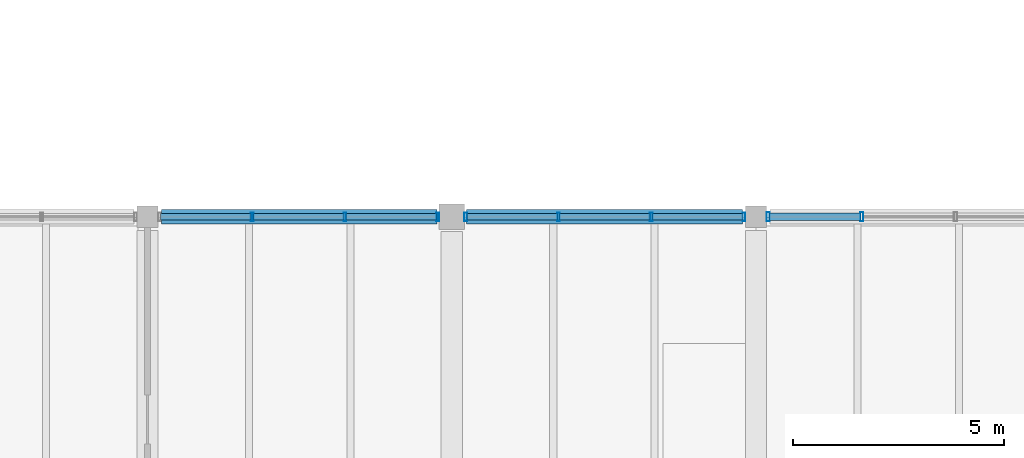
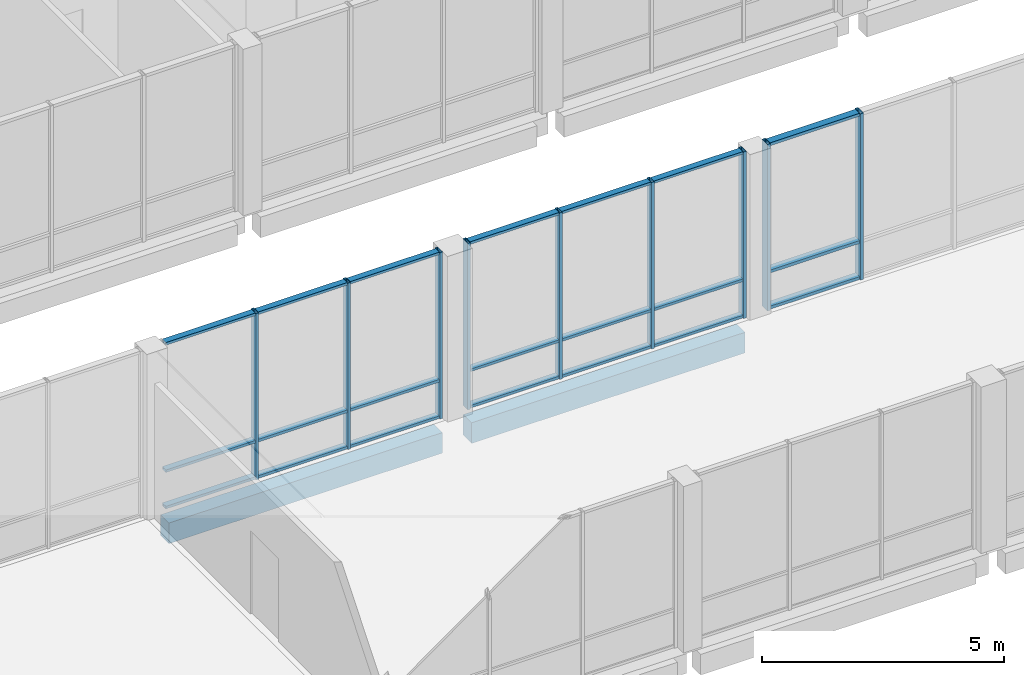
# One storey, part 35 of 104: 30 members, 2 beams, 3 elements without a shape of their own.
"""IFC4 building model written with IfcOpenShell, lengths in metres."""

from ifc_helpers import new_model, si_unit, direction, frame, origin, origin_2d, place, context, subcontext, project, spatial, rectangle, hollow_rectangle, extrude, material, material_profile, profile_set, type_object, element, aggregate, save


model = new_model("IFC4")

# Units and contexts
model_context = context("Model", 3, precision=1e-05, world=origin(), true_north=direction((0.0, 1.0)))
body_context = subcontext(model_context, "Body", "Model", "MODEL_VIEW")
ifc_project = project(units=[si_unit("LENGTHUNIT", "METRE"), si_unit("AREAUNIT", "SQUARE_METRE"), si_unit("VOLUMEUNIT", "CUBIC_METRE"), si_unit("PLANEANGLEUNIT", "RADIAN"), si_unit("MASSUNIT", "GRAM", prefix="KILO")], contexts=[model_context])

# Site, building, storey
site_placement = place(None, origin())
site = spatial("IfcSite", under=ifc_project, at=site_placement, CompositionType="ELEMENT")
building_placement = place(site_placement, origin())
building = spatial("IfcBuilding", under=site, at=building_placement, Name="Hawrajan Terrace Health Centre", CompositionType="ELEMENT")
storey_placement = place(building_placement, origin())
storey = spatial("IfcBuildingStorey", under=building, at=storey_placement, Name="L00", CompositionType="ELEMENT", Elevation=0.0)

# Curtain wall, members
ifc_material_1 = material(Name="Anodized bronze aluminium and low-E solar glazing", Category="aluminium")
curtain_wall_type_1 = type_object("IfcCurtainWallType", Name="CW_Pavilion_SeriesE2", PredefinedType="USERDEFINED", material=ifc_material_1)
curtain_wall_1_placement = place(storey_placement, origin())
curtain_wall_1 = element("IfcCurtainWall", 1, at=curtain_wall_1_placement, inside=storey, type_object=curtain_wall_type_1, Name="Curtain wall CW-L00-013", ObjectType="UNITISED CURTAIN WALL", PredefinedType="USERDEFINED")
ifc_material_2 = material(Name="Anodized bronze aluminium 6063-T6", Category="aluminium")
ifc_material_profile_1 = material_profile(ifc_material_2, hollow_rectangle(XDim=0.06494140625, YDim=0.199951171875, WallThickness=0.00439453125, at=origin_2d()), Name="CW MUL 65x200")
ifc_profile_set_1 = profile_set([ifc_material_profile_1], Name="Anodized bronze aluminium 6063-T6")
member_type_1 = type_object("IfcMemberType", Name="CWMullion_65x200", PredefinedType="MULLION", material=ifc_profile_set_1)
member_1_placement = place(storey_placement, frame((35.87744140625, 36.800048828125, -0.0048828125), z_axis=(0.0, 0.0, 1.0), x_axis=(1.0, 0.0, 0.0)))
member_1 = element("IfcMember", 2, at=member_1_placement, type_object=member_type_1, Name="Mullion CW-L00-013-M2", PredefinedType="MULLION", context=body_context, shape_type="SweptSolid", body=[
    extrude(hollow_rectangle(XDim=0.06494140625, YDim=0.199951171875, WallThickness=0.00439453125, at=origin_2d()), origin(), (0.0, 0.0, 1.0), 4.2099609375),
])
member_2_placement = place(storey_placement, frame((38.072509765625, 36.800048828125, -0.0048828125), z_axis=(0.0, 0.0, 1.0), x_axis=(1.0, 0.0, 0.0)))
member_2 = element("IfcMember", 3, at=member_2_placement, type_object=member_type_1, Name="Mullion CW-L00-013-M3", PredefinedType="MULLION", context=body_context, shape_type="SweptSolid", body=[
    extrude(hollow_rectangle(XDim=0.06494140625, YDim=0.199951171875, WallThickness=0.00439453125, at=origin_2d()), origin(), (0.0, 0.0, 1.0), 4.2099609375),
])
member_3_placement = place(storey_placement, frame((40.267578125, 36.800048828125, -0.0048828125), z_axis=(0.0, 0.0, 1.0), x_axis=(1.0, 0.0, 0.0)))
member_3 = element("IfcMember", 4, at=member_3_placement, type_object=member_type_1, Name="Mullion CW-L00-013-M4", PredefinedType="MULLION", context=body_context, shape_type="SweptSolid", body=[
    extrude(hollow_rectangle(XDim=0.06494140625, YDim=0.199951171875, WallThickness=0.00439453125, at=origin_2d()), origin(), (0.0, 0.0, 1.0), 4.2099609375),
])

curtain_wall_type_2 = type_object("IfcCurtainWallType", Name="CW_Vestibule_SeriesH1", PredefinedType="USERDEFINED", material=ifc_material_1)
curtain_wall_2_placement = place(storey_placement, origin())
curtain_wall_2 = element("IfcCurtainWall", 5, at=curtain_wall_2_placement, inside=storey, type_object=curtain_wall_type_2, Name="Curtain wall CW-L00-019", ObjectType="UNITISED CURTAIN WALL", PredefinedType="USERDEFINED")
member_4_placement = place(storey_placement, frame((40.9326171875, 36.800048828125, -0.0048828125), z_axis=(0.0, 0.0, 1.0), x_axis=(1.0, 0.0, 0.0)))
member_4 = element("IfcMember", 6, at=member_4_placement, type_object=member_type_1, Name="Mullion CW-L00-019-M1", PredefinedType="MULLION", context=body_context, shape_type="SweptSolid", body=[
    extrude(hollow_rectangle(XDim=0.06494140625, YDim=0.199951171875, WallThickness=0.00439453125, at=origin_2d()), origin(), (0.0, 0.0, 1.0), 4.2099609375),
])
member_5_placement = place(storey_placement, frame((43.12744140625, 36.800048828125, -0.0048828125), z_axis=(0.0, 0.0, 1.0), x_axis=(1.0, 0.0, 0.0)))
member_5 = element("IfcMember", 7, at=member_5_placement, type_object=member_type_1, Name="Mullion CW-L00-019-M2", PredefinedType="MULLION", context=body_context, shape_type="SweptSolid", body=[
    extrude(hollow_rectangle(XDim=0.06494140625, YDim=0.199951171875, WallThickness=0.00439453125, at=origin_2d()), origin(), (0.0, 0.0, 1.0), 4.2099609375),
])
member_6_placement = place(storey_placement, frame((45.322509765625, 36.800048828125, -0.0048828125), z_axis=(0.0, 0.0, 1.0), x_axis=(1.0, 0.0, 0.0)))
member_6 = element("IfcMember", 8, at=member_6_placement, type_object=member_type_1, Name="Mullion CW-L00-019-M3", PredefinedType="MULLION", context=body_context, shape_type="SweptSolid", body=[
    extrude(hollow_rectangle(XDim=0.06494140625, YDim=0.199951171875, WallThickness=0.00439453125, at=origin_2d()), origin(), (0.0, 0.0, 1.0), 4.2099609375),
])
member_7_placement = place(storey_placement, frame((47.517578125, 36.800048828125, -0.0048828125), z_axis=(0.0, 0.0, 1.0), x_axis=(1.0, 0.0, 0.0)))
member_7 = element("IfcMember", 9, at=member_7_placement, type_object=member_type_1, Name="Mullion CW-L00-019-M4", PredefinedType="MULLION", context=body_context, shape_type="SweptSolid", body=[
    extrude(hollow_rectangle(XDim=0.06494140625, YDim=0.199951171875, WallThickness=0.00439453125, at=origin_2d()), origin(), (0.0, 0.0, 1.0), 4.2099609375),
])

curtain_wall_type_3 = type_object("IfcCurtainWallType", Name="CW_Diagnostic_SeriesM1", PredefinedType="USERDEFINED", material=ifc_material_1)
curtain_wall_3_placement = place(storey_placement, origin())
curtain_wall_3 = element("IfcCurtainWall", 10, at=curtain_wall_3_placement, inside=storey, type_object=curtain_wall_type_3, Name="Curtain wall CW-L00-023", ObjectType="UNITISED CURTAIN WALL", PredefinedType="USERDEFINED")
ifc_material_profile_2 = material_profile(ifc_material_2, hollow_rectangle(XDim=0.074951171875, YDim=0.219970703125, WallThickness=0.0048828125, at=origin_2d()), Name="CW MUL 75x220")
ifc_profile_set_2 = profile_set([ifc_material_profile_2], Name="Anodized bronze aluminium 6063-T6")
member_type_2 = type_object("IfcMemberType", Name="CWMullion_75x220", PredefinedType="MULLION", material=ifc_profile_set_2)
member_8_placement = place(storey_placement, frame((48.08740234375, 36.800048828125, -0.0048828125), z_axis=(0.0, 0.0, 1.0), x_axis=(1.0, 0.0, 0.0)))
member_8 = element("IfcMember", 11, at=member_8_placement, type_object=member_type_2, Name="Mullion CW-L00-023-M1", PredefinedType="MULLION", context=body_context, shape_type="SweptSolid", body=[
    extrude(hollow_rectangle(XDim=0.074951171875, YDim=0.219970703125, WallThickness=0.0048828125, at=origin_2d()), origin(), (0.0, 0.0, 1.0), 4.2099609375),
])
member_9_placement = place(storey_placement, frame((50.30419921875, 36.800048828125, -0.0048828125), z_axis=(0.0, 0.0, 1.0), x_axis=(1.0, 0.0, 0.0)))
member_9 = element("IfcMember", 12, at=member_9_placement, type_object=member_type_2, Name="Mullion CW-L00-023-M2", PredefinedType="MULLION", context=body_context, shape_type="SweptSolid", body=[
    extrude(hollow_rectangle(XDim=0.074951171875, YDim=0.219970703125, WallThickness=0.0048828125, at=origin_2d()), origin(), (0.0, 0.0, 1.0), 4.2099609375),
])

# Member
ifc_material_profile_3 = material_profile(ifc_material_2, hollow_rectangle(XDim=0.06494140625, YDim=0.14990234375, WallThickness=0.00390625, at=origin_2d()), Name="CW TRN 65x150")
ifc_profile_set_3 = profile_set([ifc_material_profile_3], Name="Anodized bronze aluminium 6063-T6")
member_type_3 = type_object("IfcMemberType", Name="CWTransom_65x150", PredefinedType="USERDEFINED", material=ifc_profile_set_3)
member_10_placement = place(storey_placement, frame((33.708984375, 36.800048828125, 0.032470703125), z_axis=(1.0, 0.0, 0.0), x_axis=(0.0, 0.0, 1.0)))
member_10 = element("IfcMember", 13, at=member_10_placement, type_object=member_type_3, Name="Transom CW-L00-013-T1-1", ObjectType="TRANSOM", PredefinedType="USERDEFINED", context=body_context, shape_type="SweptSolid", body=[
    extrude(hollow_rectangle(XDim=0.06494140625, YDim=0.14990234375, WallThickness=0.00390625, at=origin_2d()), origin(), (0.0, 0.0, 1.0), 2.14208984375),
])

member_11_placement = place(storey_placement, frame((33.708984375, 36.800048828125, 0.949951171875), z_axis=(1.0, 0.0, 0.0), x_axis=(0.0, 0.0, 1.0)))
member_11 = element("IfcMember", 14, at=member_11_placement, type_object=member_type_3, Name="Transom CW-L00-013-T1-2", ObjectType="TRANSOM", PredefinedType="USERDEFINED", context=body_context, shape_type="SweptSolid", body=[
    extrude(hollow_rectangle(XDim=0.06494140625, YDim=0.14990234375, WallThickness=0.00390625, at=origin_2d()), origin(), (0.0, 0.0, 1.0), 2.14208984375),
])

member_12_placement = place(storey_placement, frame((33.708984375, 36.800048828125, 4.16748046875), z_axis=(1.0, 0.0, 0.0), x_axis=(0.0, 0.0, 1.0)))
member_12 = element("IfcMember", 15, at=member_12_placement, type_object=member_type_3, Name="Transom CW-L00-013-T1-3", ObjectType="TRANSOM", PredefinedType="USERDEFINED", context=body_context, shape_type="SweptSolid", body=[
    extrude(hollow_rectangle(XDim=0.06494140625, YDim=0.14990234375, WallThickness=0.00390625, at=origin_2d()), origin(), (0.0, 0.0, 1.0), 2.14208984375),
])

member_13_placement = place(storey_placement, frame((35.904052734375, 36.800048828125, 0.032470703125), z_axis=(1.0, 0.0, 0.0), x_axis=(0.0, 0.0, 1.0)))
member_13 = element("IfcMember", 16, at=member_13_placement, type_object=member_type_3, Name="Transom CW-L00-013-T2-1", ObjectType="TRANSOM", PredefinedType="USERDEFINED", context=body_context, shape_type="SweptSolid", body=[
    extrude(hollow_rectangle(XDim=0.06494140625, YDim=0.14990234375, WallThickness=0.00390625, at=origin_2d()), origin(), (0.0, 0.0, 1.0), 2.141845703125),
])

member_14_placement = place(storey_placement, frame((35.904052734375, 36.800048828125, 0.949951171875), z_axis=(1.0, 0.0, 0.0), x_axis=(0.0, 0.0, 1.0)))
member_14 = element("IfcMember", 17, at=member_14_placement, type_object=member_type_3, Name="Transom CW-L00-013-T2-2", ObjectType="TRANSOM", PredefinedType="USERDEFINED", context=body_context, shape_type="SweptSolid", body=[
    extrude(hollow_rectangle(XDim=0.06494140625, YDim=0.14990234375, WallThickness=0.00390625, at=origin_2d()), origin(), (0.0, 0.0, 1.0), 2.141845703125),
])

member_15_placement = place(storey_placement, frame((35.904052734375, 36.800048828125, 4.16748046875), z_axis=(1.0, 0.0, 0.0), x_axis=(0.0, 0.0, 1.0)))
member_15 = element("IfcMember", 18, at=member_15_placement, type_object=member_type_3, Name="Transom CW-L00-013-T2-3", ObjectType="TRANSOM", PredefinedType="USERDEFINED", context=body_context, shape_type="SweptSolid", body=[
    extrude(hollow_rectangle(XDim=0.06494140625, YDim=0.14990234375, WallThickness=0.00390625, at=origin_2d()), origin(), (0.0, 0.0, 1.0), 2.141845703125),
])

member_16_placement = place(storey_placement, frame((38.09912109375, 36.800048828125, 0.032470703125), z_axis=(1.0, 0.0, 0.0), x_axis=(0.0, 0.0, 1.0)))
member_16 = element("IfcMember", 19, at=member_16_placement, type_object=member_type_3, Name="Transom CW-L00-013-T3-1", ObjectType="TRANSOM", PredefinedType="USERDEFINED", context=body_context, shape_type="SweptSolid", body=[
    extrude(hollow_rectangle(XDim=0.06494140625, YDim=0.14990234375, WallThickness=0.00390625, at=origin_2d()), origin(), (0.0, 0.0, 1.0), 2.141845703125),
])

member_17_placement = place(storey_placement, frame((38.09912109375, 36.800048828125, 0.949951171875), z_axis=(1.0, 0.0, 0.0), x_axis=(0.0, 0.0, 1.0)))
member_17 = element("IfcMember", 20, at=member_17_placement, type_object=member_type_3, Name="Transom CW-L00-013-T3-2", ObjectType="TRANSOM", PredefinedType="USERDEFINED", context=body_context, shape_type="SweptSolid", body=[
    extrude(hollow_rectangle(XDim=0.06494140625, YDim=0.14990234375, WallThickness=0.00390625, at=origin_2d()), origin(), (0.0, 0.0, 1.0), 2.141845703125),
])

member_18_placement = place(storey_placement, frame((38.09912109375, 36.800048828125, 4.16748046875), z_axis=(1.0, 0.0, 0.0), x_axis=(0.0, 0.0, 1.0)))
member_18 = element("IfcMember", 21, at=member_18_placement, type_object=member_type_3, Name="Transom CW-L00-013-T3-3", ObjectType="TRANSOM", PredefinedType="USERDEFINED", context=body_context, shape_type="SweptSolid", body=[
    extrude(hollow_rectangle(XDim=0.06494140625, YDim=0.14990234375, WallThickness=0.00390625, at=origin_2d()), origin(), (0.0, 0.0, 1.0), 2.141845703125),
])

aggregate(curtain_wall_1, [member_1, member_2, member_3, member_10, member_11, member_12, member_13, member_14, member_15, member_16, member_17, member_18])

member_19_placement = place(storey_placement, frame((40.958984375, 36.800048828125, 0.032470703125), z_axis=(1.0, 0.0, 0.0), x_axis=(0.0, 0.0, 1.0)))
member_19 = element("IfcMember", 22, at=member_19_placement, type_object=member_type_3, Name="Transom CW-L00-019-T1-1", ObjectType="TRANSOM", PredefinedType="USERDEFINED", context=body_context, shape_type="SweptSolid", body=[
    extrude(hollow_rectangle(XDim=0.06494140625, YDim=0.14990234375, WallThickness=0.00390625, at=origin_2d()), origin(), (0.0, 0.0, 1.0), 2.14208984375),
])

member_20_placement = place(storey_placement, frame((40.958984375, 36.800048828125, 0.949951171875), z_axis=(1.0, 0.0, 0.0), x_axis=(0.0, 0.0, 1.0)))
member_20 = element("IfcMember", 23, at=member_20_placement, type_object=member_type_3, Name="Transom CW-L00-019-T1-2", ObjectType="TRANSOM", PredefinedType="USERDEFINED", context=body_context, shape_type="SweptSolid", body=[
    extrude(hollow_rectangle(XDim=0.06494140625, YDim=0.14990234375, WallThickness=0.00390625, at=origin_2d()), origin(), (0.0, 0.0, 1.0), 2.14208984375),
])

member_21_placement = place(storey_placement, frame((40.958984375, 36.800048828125, 4.16748046875), z_axis=(1.0, 0.0, 0.0), x_axis=(0.0, 0.0, 1.0)))
member_21 = element("IfcMember", 24, at=member_21_placement, type_object=member_type_3, Name="Transom CW-L00-019-T1-3", ObjectType="TRANSOM", PredefinedType="USERDEFINED", context=body_context, shape_type="SweptSolid", body=[
    extrude(hollow_rectangle(XDim=0.06494140625, YDim=0.14990234375, WallThickness=0.00390625, at=origin_2d()), origin(), (0.0, 0.0, 1.0), 2.14208984375),
])

member_22_placement = place(storey_placement, frame((43.154052734375, 36.800048828125, 0.032470703125), z_axis=(1.0, 0.0, 0.0), x_axis=(0.0, 0.0, 1.0)))
member_22 = element("IfcMember", 25, at=member_22_placement, type_object=member_type_3, Name="Transom CW-L00-019-T2-1", ObjectType="TRANSOM", PredefinedType="USERDEFINED", context=body_context, shape_type="SweptSolid", body=[
    extrude(hollow_rectangle(XDim=0.06494140625, YDim=0.14990234375, WallThickness=0.00390625, at=origin_2d()), origin(), (0.0, 0.0, 1.0), 2.141845703125),
])

member_23_placement = place(storey_placement, frame((43.154052734375, 36.800048828125, 0.949951171875), z_axis=(1.0, 0.0, 0.0), x_axis=(0.0, 0.0, 1.0)))
member_23 = element("IfcMember", 26, at=member_23_placement, type_object=member_type_3, Name="Transom CW-L00-019-T2-2", ObjectType="TRANSOM", PredefinedType="USERDEFINED", context=body_context, shape_type="SweptSolid", body=[
    extrude(hollow_rectangle(XDim=0.06494140625, YDim=0.14990234375, WallThickness=0.00390625, at=origin_2d()), origin(), (0.0, 0.0, 1.0), 2.141845703125),
])

member_24_placement = place(storey_placement, frame((43.154052734375, 36.800048828125, 4.16748046875), z_axis=(1.0, 0.0, 0.0), x_axis=(0.0, 0.0, 1.0)))
member_24 = element("IfcMember", 27, at=member_24_placement, type_object=member_type_3, Name="Transom CW-L00-019-T2-3", ObjectType="TRANSOM", PredefinedType="USERDEFINED", context=body_context, shape_type="SweptSolid", body=[
    extrude(hollow_rectangle(XDim=0.06494140625, YDim=0.14990234375, WallThickness=0.00390625, at=origin_2d()), origin(), (0.0, 0.0, 1.0), 2.141845703125),
])

member_25_placement = place(storey_placement, frame((45.34912109375, 36.800048828125, 0.032470703125), z_axis=(1.0, 0.0, 0.0), x_axis=(0.0, 0.0, 1.0)))
member_25 = element("IfcMember", 28, at=member_25_placement, type_object=member_type_3, Name="Transom CW-L00-019-T3-1", ObjectType="TRANSOM", PredefinedType="USERDEFINED", context=body_context, shape_type="SweptSolid", body=[
    extrude(hollow_rectangle(XDim=0.06494140625, YDim=0.14990234375, WallThickness=0.00390625, at=origin_2d()), origin(), (0.0, 0.0, 1.0), 2.141845703125),
])

member_26_placement = place(storey_placement, frame((45.34912109375, 36.800048828125, 0.949951171875), z_axis=(1.0, 0.0, 0.0), x_axis=(0.0, 0.0, 1.0)))
member_26 = element("IfcMember", 29, at=member_26_placement, type_object=member_type_3, Name="Transom CW-L00-019-T3-2", ObjectType="TRANSOM", PredefinedType="USERDEFINED", context=body_context, shape_type="SweptSolid", body=[
    extrude(hollow_rectangle(XDim=0.06494140625, YDim=0.14990234375, WallThickness=0.00390625, at=origin_2d()), origin(), (0.0, 0.0, 1.0), 2.141845703125),
])

member_27_placement = place(storey_placement, frame((45.34912109375, 36.800048828125, 4.16748046875), z_axis=(1.0, 0.0, 0.0), x_axis=(0.0, 0.0, 1.0)))
member_27 = element("IfcMember", 30, at=member_27_placement, type_object=member_type_3, Name="Transom CW-L00-019-T3-3", ObjectType="TRANSOM", PredefinedType="USERDEFINED", context=body_context, shape_type="SweptSolid", body=[
    extrude(hollow_rectangle(XDim=0.06494140625, YDim=0.14990234375, WallThickness=0.00390625, at=origin_2d()), origin(), (0.0, 0.0, 1.0), 2.141845703125),
])

aggregate(curtain_wall_2, [member_4, member_5, member_6, member_7, member_19, member_20, member_21, member_22, member_23, member_24, member_25, member_26, member_27])

ifc_material_profile_4 = material_profile(ifc_material_2, hollow_rectangle(XDim=0.074951171875, YDim=0.169921875, WallThickness=0.00439453125, at=origin_2d()), Name="CW TRN 75x170")
ifc_profile_set_4 = profile_set([ifc_material_profile_4], Name="Anodized bronze aluminium 6063-T6")
member_type_4 = type_object("IfcMemberType", Name="CWTransom_75x170", PredefinedType="USERDEFINED", material=ifc_profile_set_4)
member_28_placement = place(storey_placement, frame((48.118896484375, 36.800048828125, 0.03759765625), z_axis=(1.0, 0.0, 0.0), x_axis=(0.0, 0.0, 1.0)))
member_28 = element("IfcMember", 31, at=member_28_placement, type_object=member_type_4, Name="Transom CW-L00-023-T1-1", ObjectType="TRANSOM", PredefinedType="USERDEFINED", context=body_context, shape_type="SweptSolid", body=[
    extrude(hollow_rectangle(XDim=0.074951171875, YDim=0.169921875, WallThickness=0.00439453125, at=origin_2d()), origin(), (0.0, 0.0, 1.0), 2.15380859375),
])

member_29_placement = place(storey_placement, frame((48.118896484375, 36.800048828125, 0.949951171875), z_axis=(1.0, 0.0, 0.0), x_axis=(0.0, 0.0, 1.0)))
member_29 = element("IfcMember", 32, at=member_29_placement, type_object=member_type_4, Name="Transom CW-L00-023-T1-2", ObjectType="TRANSOM", PredefinedType="USERDEFINED", context=body_context, shape_type="SweptSolid", body=[
    extrude(hollow_rectangle(XDim=0.074951171875, YDim=0.169921875, WallThickness=0.00439453125, at=origin_2d()), origin(), (0.0, 0.0, 1.0), 2.15380859375),
])

member_30_placement = place(storey_placement, frame((48.118896484375, 36.800048828125, 4.16259765625), z_axis=(1.0, 0.0, 0.0), x_axis=(0.0, 0.0, 1.0)))
member_30 = element("IfcMember", 33, at=member_30_placement, type_object=member_type_4, Name="Transom CW-L00-023-T1-3", ObjectType="TRANSOM", PredefinedType="USERDEFINED", context=body_context, shape_type="SweptSolid", body=[
    extrude(hollow_rectangle(XDim=0.074951171875, YDim=0.169921875, WallThickness=0.00439453125, at=origin_2d()), origin(), (0.0, 0.0, 1.0), 2.15380859375),
])

aggregate(curtain_wall_3, [member_8, member_9, member_28, member_29, member_30])

# Beams
ifc_material_3 = material(Name="Concrete C40/50", Category="concrete")
ifc_material_profile_5 = material_profile(ifc_material_3, rectangle(XDim=0.35009765625, YDim=0.52001953125, at=origin_2d()), Name="RC SP 350x520")
ifc_profile_set_5 = profile_set([ifc_material_profile_5], Name="Concrete C40/50")
beam_type = type_object("IfcBeamType", Name="RCSpandrel_350x520", PredefinedType="SPANDREL", material=ifc_profile_set_5)
beam_1_placement = place(storey_placement, frame((33.72509765625, 36.800048828125, -0.56005859375), z_axis=(1.0, 0.0, 0.0), x_axis=(0.0, 1.0, 0.0)))
element("IfcBeam", 34, at=beam_1_placement, inside=storey, type_object=beam_type, Name="Beam BM-X-L00-W-05-Y5", PredefinedType="SPANDREL", context=body_context, shape_type="SweptSolid", body=[
    extrude(rectangle(XDim=0.35009765625, YDim=0.52001953125, at=origin_2d()), origin(), (0.0, 0.0, 1.0), 6.52490234375),
])
beam_2_placement = place(storey_placement, frame((40.949951171875, 36.800048828125, -0.56005859375), z_axis=(1.0, 0.0, 0.0), x_axis=(0.0, 1.0, 0.0)))
element("IfcBeam", 35, at=beam_2_placement, inside=storey, type_object=beam_type, Name="Beam BM-X-L00-W-06-Y5", PredefinedType="SPANDREL", context=body_context, shape_type="SweptSolid", body=[
    extrude(rectangle(XDim=0.35009765625, YDim=0.52001953125, at=origin_2d()), origin(), (0.0, 0.0, 1.0), 6.525146484375),
])

save(model, "model.ifc")
